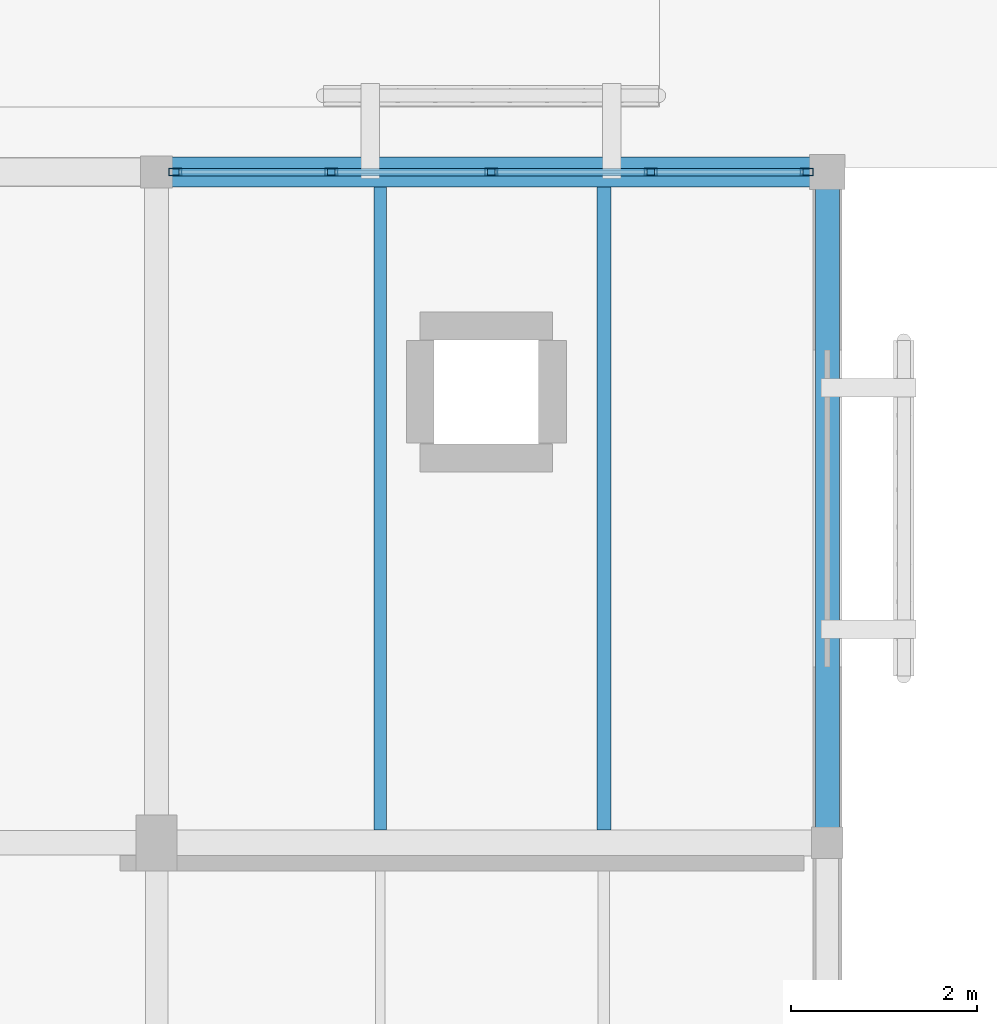
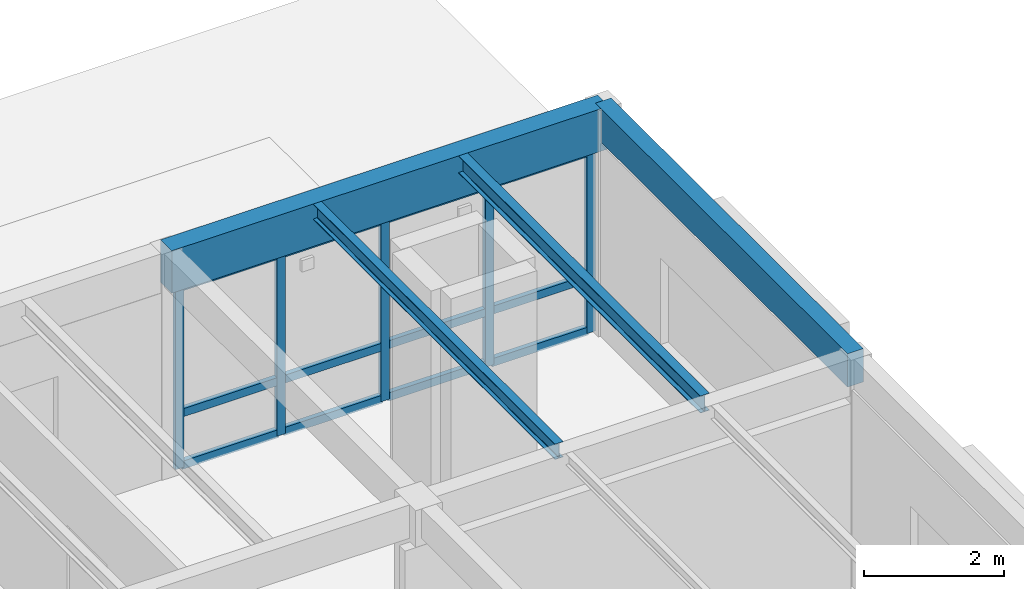
# One storey, part 69 of 112: 17 members, 4 beams, 1 element without a shape of its own.
"""IFC4 building model written with IfcOpenShell, lengths in metres."""

from ifc_helpers import new_model, si_unit, direction, frame, origin, origin_2d, place, context, subcontext, project, spatial, rectangle, hollow_rectangle, i_section, extrude, material, layer, layer_set, material_profile, profile_set, type_object, element, aggregate, save


model = new_model("IFC4")

# Units and contexts
model_context = context("Model", 3, precision=1e-05, world=origin(), true_north=direction((0.0, 1.0)))
body_context = subcontext(model_context, "Body", "Model", "MODEL_VIEW")
ifc_project = project(units=[si_unit("LENGTHUNIT", "METRE"), si_unit("AREAUNIT", "SQUARE_METRE"), si_unit("VOLUMEUNIT", "CUBIC_METRE"), si_unit("PLANEANGLEUNIT", "RADIAN"), si_unit("MASSUNIT", "GRAM", prefix="KILO")], contexts=[model_context])

# Site, building, storey
site_placement = place(None, origin())
site = spatial("IfcSite", under=ifc_project, at=site_placement, CompositionType="ELEMENT")
building_placement = place(site_placement, origin())
building = spatial("IfcBuilding", under=site, at=building_placement, Name="Mazaris Harbour Polytechnic", CompositionType="ELEMENT")
storey_placement = place(building_placement, frame((0.0, 0.0, 13.800048828125)))
storey = spatial("IfcBuildingStorey", under=building, at=storey_placement, Name="L03", CompositionType="ELEMENT", Elevation=13.800048828125)

# Curtain wall, members
ifc_material_1 = material(Name="Anodised Bronze Aluminium and Low-E Glass", Category="aluminium")
ifc_layer = layer(ifc_material_1, 0.169921875, Name="Anodised Bronze Aluminium and Low-E Glass")
ifc_layer_set = layer_set([ifc_layer], Name="Anodised Bronze Aluminium and Low-E Glass")
curtain_wall_type = type_object("IfcCurtainWallType", Name="Studio North-Light Curtain Wall", PredefinedType="NOTDEFINED", material=ifc_layer_set)
curtain_wall_placement = place(storey_placement, origin())
curtain_wall = element("IfcCurtainWall", 1, at=curtain_wall_placement, inside=storey, type_object=curtain_wall_type, Name="V5 L03 Curtain Wall 252", PredefinedType="NOTDEFINED")
ifc_material_2 = material(Name="Anodised Bronze Steel S355", Category="steel")
ifc_material_profile_1 = material_profile(ifc_material_2, hollow_rectangle(XDim=0.080078125, YDim=0.139892578125, WallThickness=0.00634765625, at=origin_2d()), Name="RHS 80x140x6.3")
ifc_profile_set_1 = profile_set([ifc_material_profile_1], Name="Anodised Bronze Steel S355")
member_type_1 = type_object("IfcMemberType", Name="Curtain Mullion RHS80x140", PredefinedType="MULLION", material=ifc_profile_set_1)
member_1_placement = place(storey_placement, frame((165.802001953125, 100.800048828125, 0.0), z_axis=(0.0, 0.0, 1.0), x_axis=(0.0, 1.0, 0.0)))
member_1 = element("IfcMember", 2, at=member_1_placement, type_object=member_type_1, Name="CW-03 mullion 1", PredefinedType="MULLION", context=body_context, shape_type="SweptSolid", body=[
    extrude(hollow_rectangle(XDim=0.080078125, YDim=0.139892578125, WallThickness=0.00634765625, at=origin_2d()), origin(), (0.0, 0.0, 1.0), 3.18505859375),
])
member_2_placement = place(storey_placement, frame((167.47607421875, 100.800048828125, 0.0), z_axis=(0.0, 0.0, 1.0), x_axis=(0.0, 1.0, 0.0)))
member_2 = element("IfcMember", 3, at=member_2_placement, type_object=member_type_1, Name="CW-03 mullion 2", PredefinedType="MULLION", context=body_context, shape_type="SweptSolid", body=[
    extrude(hollow_rectangle(XDim=0.080078125, YDim=0.139892578125, WallThickness=0.00634765625, at=origin_2d()), origin(), (0.0, 0.0, 1.0), 3.18505859375),
])
member_3_placement = place(storey_placement, frame((169.18994140625, 100.800048828125, 0.0), z_axis=(0.0, 0.0, 1.0), x_axis=(0.0, 1.0, 0.0)))
member_3 = element("IfcMember", 4, at=member_3_placement, type_object=member_type_1, Name="CW-03 mullion 3", PredefinedType="MULLION", context=body_context, shape_type="SweptSolid", body=[
    extrude(hollow_rectangle(XDim=0.080078125, YDim=0.139892578125, WallThickness=0.00634765625, at=origin_2d()), origin(), (0.0, 0.0, 1.0), 3.18505859375),
])
member_4_placement = place(storey_placement, frame((170.904052734375, 100.800048828125, 0.0), z_axis=(0.0, 0.0, 1.0), x_axis=(0.0, 1.0, 0.0)))
member_4 = element("IfcMember", 5, at=member_4_placement, type_object=member_type_1, Name="CW-03 mullion 4", PredefinedType="MULLION", context=body_context, shape_type="SweptSolid", body=[
    extrude(hollow_rectangle(XDim=0.080078125, YDim=0.139892578125, WallThickness=0.00634765625, at=origin_2d()), origin(), (0.0, 0.0, 1.0), 3.18505859375),
])
member_5_placement = place(storey_placement, frame((172.577880859375, 100.800048828125, 0.0), z_axis=(0.0, 0.0, 1.0), x_axis=(0.0, 1.0, 0.0)))
member_5 = element("IfcMember", 6, at=member_5_placement, type_object=member_type_1, Name="CW-03 mullion 5", PredefinedType="MULLION", context=body_context, shape_type="SweptSolid", body=[
    extrude(hollow_rectangle(XDim=0.080078125, YDim=0.139892578125, WallThickness=0.00634765625, at=origin_2d()), origin(), (0.0, 0.0, 1.0), 3.18505859375),
])
ifc_material_3 = material(Name="Anodised Bronze Steel S355", Category="steel")
ifc_material_profile_2 = material_profile(ifc_material_3, hollow_rectangle(XDim=0.080078125, YDim=0.139892578125, WallThickness=0.00634765625, at=origin_2d()), Name="RHS 80x140x6.3")
ifc_profile_set_2 = profile_set([ifc_material_profile_2], Name="Anodised Bronze Steel S355")
member_type_2 = type_object("IfcMemberType", Name="Curtain Transom RHS80x140", PredefinedType="USERDEFINED", material=ifc_profile_set_2)
member_6_placement = place(storey_placement, frame((165.842041015625, 100.800048828125, 0.0400390625), z_axis=(1.0, 0.0, 0.0), x_axis=(0.0, 1.0, 0.0)))
member_6 = element("IfcMember", 7, at=member_6_placement, type_object=member_type_2, Name="CW-03 transom 1.1", ObjectType="TRANSOM", PredefinedType="USERDEFINED", context=body_context, shape_type="SweptSolid", body=[
    extrude(hollow_rectangle(XDim=0.080078125, YDim=0.139892578125, WallThickness=0.00634765625, at=origin_2d()), origin(), (0.0, 0.0, 1.0), 1.593994140625),
])
member_7_placement = place(storey_placement, frame((165.842041015625, 100.800048828125, 0.949951171875), z_axis=(1.0, 0.0, 0.0), x_axis=(0.0, 1.0, 0.0)))
member_7 = element("IfcMember", 8, at=member_7_placement, type_object=member_type_2, Name="CW-03 transom 1.2", ObjectType="TRANSOM", PredefinedType="USERDEFINED", context=body_context, shape_type="SweptSolid", body=[
    extrude(hollow_rectangle(XDim=0.080078125, YDim=0.139892578125, WallThickness=0.00634765625, at=origin_2d()), origin(), (0.0, 0.0, 1.0), 1.593994140625),
])
member_8_placement = place(storey_placement, frame((165.842041015625, 100.800048828125, 3.14501953125), z_axis=(1.0, 0.0, 0.0), x_axis=(0.0, 1.0, 0.0)))
member_8 = element("IfcMember", 9, at=member_8_placement, type_object=member_type_2, Name="CW-03 transom 1.3", ObjectType="TRANSOM", PredefinedType="USERDEFINED", context=body_context, shape_type="SweptSolid", body=[
    extrude(hollow_rectangle(XDim=0.080078125, YDim=0.139892578125, WallThickness=0.00634765625, at=origin_2d()), origin(), (0.0, 0.0, 1.0), 1.593994140625),
])
member_9_placement = place(storey_placement, frame((167.51611328125, 100.800048828125, 0.0400390625), z_axis=(1.0, 0.0, 0.0), x_axis=(0.0, 1.0, 0.0)))
member_9 = element("IfcMember", 10, at=member_9_placement, type_object=member_type_2, Name="CW-03 transom 2.1", ObjectType="TRANSOM", PredefinedType="USERDEFINED", context=body_context, shape_type="SweptSolid", body=[
    extrude(hollow_rectangle(XDim=0.080078125, YDim=0.139892578125, WallThickness=0.00634765625, at=origin_2d()), origin(), (0.0, 0.0, 1.0), 1.6337890625),
])
member_10_placement = place(storey_placement, frame((167.51611328125, 100.800048828125, 0.949951171875), z_axis=(1.0, 0.0, 0.0), x_axis=(0.0, 1.0, 0.0)))
member_10 = element("IfcMember", 11, at=member_10_placement, type_object=member_type_2, Name="CW-03 transom 2.2", ObjectType="TRANSOM", PredefinedType="USERDEFINED", context=body_context, shape_type="SweptSolid", body=[
    extrude(hollow_rectangle(XDim=0.080078125, YDim=0.139892578125, WallThickness=0.00634765625, at=origin_2d()), origin(), (0.0, 0.0, 1.0), 1.6337890625),
])
member_11_placement = place(storey_placement, frame((167.51611328125, 100.800048828125, 3.14501953125), z_axis=(1.0, 0.0, 0.0), x_axis=(0.0, 1.0, 0.0)))
member_11 = element("IfcMember", 12, at=member_11_placement, type_object=member_type_2, Name="CW-03 transom 2.3", ObjectType="TRANSOM", PredefinedType="USERDEFINED", context=body_context, shape_type="SweptSolid", body=[
    extrude(hollow_rectangle(XDim=0.080078125, YDim=0.139892578125, WallThickness=0.00634765625, at=origin_2d()), origin(), (0.0, 0.0, 1.0), 1.6337890625),
])
member_12_placement = place(storey_placement, frame((169.22998046875, 100.800048828125, 0.0400390625), z_axis=(1.0, 0.0, 0.0), x_axis=(0.0, 1.0, 0.0)))
member_12 = element("IfcMember", 13, at=member_12_placement, type_object=member_type_2, Name="CW-03 transom 3.1", ObjectType="TRANSOM", PredefinedType="USERDEFINED", context=body_context, shape_type="SweptSolid", body=[
    extrude(hollow_rectangle(XDim=0.080078125, YDim=0.139892578125, WallThickness=0.00634765625, at=origin_2d()), origin(), (0.0, 0.0, 1.0), 1.634033203125),
])
member_13_placement = place(storey_placement, frame((169.22998046875, 100.800048828125, 0.949951171875), z_axis=(1.0, 0.0, 0.0), x_axis=(0.0, 1.0, 0.0)))
member_13 = element("IfcMember", 14, at=member_13_placement, type_object=member_type_2, Name="CW-03 transom 3.2", ObjectType="TRANSOM", PredefinedType="USERDEFINED", context=body_context, shape_type="SweptSolid", body=[
    extrude(hollow_rectangle(XDim=0.080078125, YDim=0.139892578125, WallThickness=0.00634765625, at=origin_2d()), origin(), (0.0, 0.0, 1.0), 1.634033203125),
])
member_14_placement = place(storey_placement, frame((169.22998046875, 100.800048828125, 3.14501953125), z_axis=(1.0, 0.0, 0.0), x_axis=(0.0, 1.0, 0.0)))
member_14 = element("IfcMember", 15, at=member_14_placement, type_object=member_type_2, Name="CW-03 transom 3.3", ObjectType="TRANSOM", PredefinedType="USERDEFINED", context=body_context, shape_type="SweptSolid", body=[
    extrude(hollow_rectangle(XDim=0.080078125, YDim=0.139892578125, WallThickness=0.00634765625, at=origin_2d()), origin(), (0.0, 0.0, 1.0), 1.634033203125),
])
member_15_placement = place(storey_placement, frame((170.944091796875, 100.800048828125, 0.0400390625), z_axis=(1.0, 0.0, 0.0), x_axis=(0.0, 1.0, 0.0)))
member_15 = element("IfcMember", 16, at=member_15_placement, type_object=member_type_2, Name="CW-03 transom 4.1", ObjectType="TRANSOM", PredefinedType="USERDEFINED", context=body_context, shape_type="SweptSolid", body=[
    extrude(hollow_rectangle(XDim=0.080078125, YDim=0.139892578125, WallThickness=0.00634765625, at=origin_2d()), origin(), (0.0, 0.0, 1.0), 1.593994140625),
])
member_16_placement = place(storey_placement, frame((170.944091796875, 100.800048828125, 0.949951171875), z_axis=(1.0, 0.0, 0.0), x_axis=(0.0, 1.0, 0.0)))
member_16 = element("IfcMember", 17, at=member_16_placement, type_object=member_type_2, Name="CW-03 transom 4.2", ObjectType="TRANSOM", PredefinedType="USERDEFINED", context=body_context, shape_type="SweptSolid", body=[
    extrude(hollow_rectangle(XDim=0.080078125, YDim=0.139892578125, WallThickness=0.00634765625, at=origin_2d()), origin(), (0.0, 0.0, 1.0), 1.593994140625),
])
member_17_placement = place(storey_placement, frame((170.944091796875, 100.800048828125, 3.14501953125), z_axis=(1.0, 0.0, 0.0), x_axis=(0.0, 1.0, 0.0)))
member_17 = element("IfcMember", 18, at=member_17_placement, type_object=member_type_2, Name="CW-03 transom 4.3", ObjectType="TRANSOM", PredefinedType="USERDEFINED", context=body_context, shape_type="SweptSolid", body=[
    extrude(hollow_rectangle(XDim=0.080078125, YDim=0.139892578125, WallThickness=0.00634765625, at=origin_2d()), origin(), (0.0, 0.0, 1.0), 1.593994140625),
])
aggregate(curtain_wall, [member_1, member_2, member_3, member_4, member_5, member_6, member_7, member_8, member_9, member_10, member_11, member_12, member_13, member_14, member_15, member_16, member_17])

# Beams
ifc_material_4 = material(Name="Glulam GL32h", Category="wood")
ifc_material_profile_3 = material_profile(ifc_material_4, rectangle(XDim=0.260009765625, YDim=0.580078125, at=origin_2d()), Name="RECT260x580")
ifc_profile_set_3 = profile_set([ifc_material_profile_3], Name="Glulam GL32h")
beam_type_1 = type_object("IfcBeamType", Name="Glulam Girder 260x580 Exterior", PredefinedType="BEAM", material=ifc_profile_set_3)
beam_1_placement = place(storey_placement, frame((172.800048828125, 93.60009765625, 3.64501953125), z_axis=(0.0, 1.0, 0.0), x_axis=(-1.0, 0.0, 0.0)))
element("IfcBeam", 19, at=beam_1_placement, inside=storey, type_object=beam_type_1, Name="V5 L03 Tie Girder 3361", PredefinedType="BEAM", context=body_context, shape_type="SweptSolid", body=[
    extrude(rectangle(XDim=0.260009765625, YDim=0.580078125, at=origin_2d()), origin(), (0.0, 0.0, 1.0), 7.199951171875),
])
ifc_material_5 = material(Name="Glulam GL32h", Category="wood")
ifc_material_profile_4 = material_profile(ifc_material_5, rectangle(XDim=0.320068359375, YDim=0.739990234375, at=origin_2d()), Name="RECT320x740")
ifc_profile_set_4 = profile_set([ifc_material_profile_4], Name="Glulam GL32h")
beam_type_2 = type_object("IfcBeamType", Name="Glulam Girder 320x740 Exterior", PredefinedType="BEAM", material=ifc_profile_set_4)
beam_2_placement = place(storey_placement, frame((165.60009765625, 100.800048828125, 3.56494140625), z_axis=(1.0, 0.0, 0.0), x_axis=(0.0, 1.0, 0.0)))
element("IfcBeam", 20, at=beam_2_placement, inside=storey, type_object=beam_type_2, Name="V5 L03 Girder 3329", PredefinedType="BEAM", context=body_context, shape_type="SweptSolid", body=[
    extrude(rectangle(XDim=0.320068359375, YDim=0.739990234375, at=origin_2d()), origin(), (0.0, 0.0, 1.0), 7.199951171875),
])
ifc_material_6 = material(Name="Steel S355", Category="steel")
ifc_material_profile_5 = material_profile(ifc_material_6, i_section(OverallWidth=0.135009765625, OverallDepth=0.27001953125, WebThickness=0.006591796875, FlangeThickness=0.01025390625, FilletRadius=0.014892578125, at=origin_2d()), Name="IPE 270")
ifc_profile_set_5 = profile_set([ifc_material_profile_5], Name="Steel S355")
beam_type_3 = type_object("IfcBeamType", Name="Steel Joist IPE270", PredefinedType="JOIST", material=ifc_profile_set_5)
beam_3_placement = place(storey_placement, frame((168.0, 93.739990234375, 3.800048828125), z_axis=(0.0, 1.0, 0.0), x_axis=(-1.0, 0.0, 0.0)))
element("IfcBeam", 21, at=beam_3_placement, inside=storey, type_object=beam_type_3, Name="V5 L03 Floor Joist 3397", PredefinedType="JOIST", context=body_context, shape_type="SweptSolid", body=[
    extrude(i_section(OverallWidth=0.135009765625, OverallDepth=0.27001953125, WebThickness=0.006591796875, FlangeThickness=0.01025390625, FilletRadius=0.014892578125, at=origin_2d()), origin(), (0.0, 0.0, 1.0), 6.89990234375),
])
ifc_material_7 = material(Name="Steel S355", Category="steel")
ifc_material_profile_6 = material_profile(ifc_material_7, i_section(OverallWidth=0.14990234375, OverallDepth=0.300048828125, WebThickness=0.007080078125, FlangeThickness=0.0107421875, FilletRadius=0.014892578125, at=origin_2d()), Name="IPE 300")
ifc_profile_set_6 = profile_set([ifc_material_profile_6], Name="Steel S355")
beam_type_4 = type_object("IfcBeamType", Name="Steel Joist IPE300", PredefinedType="JOIST", material=ifc_profile_set_6)
beam_4_placement = place(storey_placement, frame((170.39990234375, 93.739990234375, 3.784912109375), z_axis=(0.0, 1.0, 0.0), x_axis=(-1.0, 0.0, 0.0)))
element("IfcBeam", 22, at=beam_4_placement, inside=storey, type_object=beam_type_4, Name="V5 L03 Floor Joist 3398", PredefinedType="JOIST", context=body_context, shape_type="SweptSolid", body=[
    extrude(i_section(OverallWidth=0.14990234375, OverallDepth=0.300048828125, WebThickness=0.007080078125, FlangeThickness=0.0107421875, FilletRadius=0.014892578125, at=origin_2d()), origin(), (0.0, 0.0, 1.0), 6.89990234375),
])

save(model, "model.ifc")
